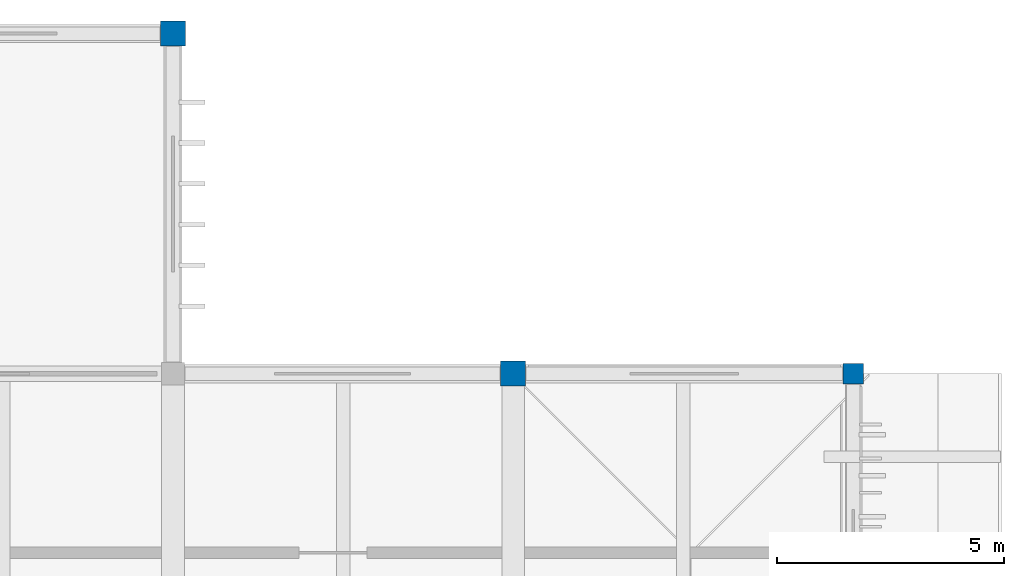
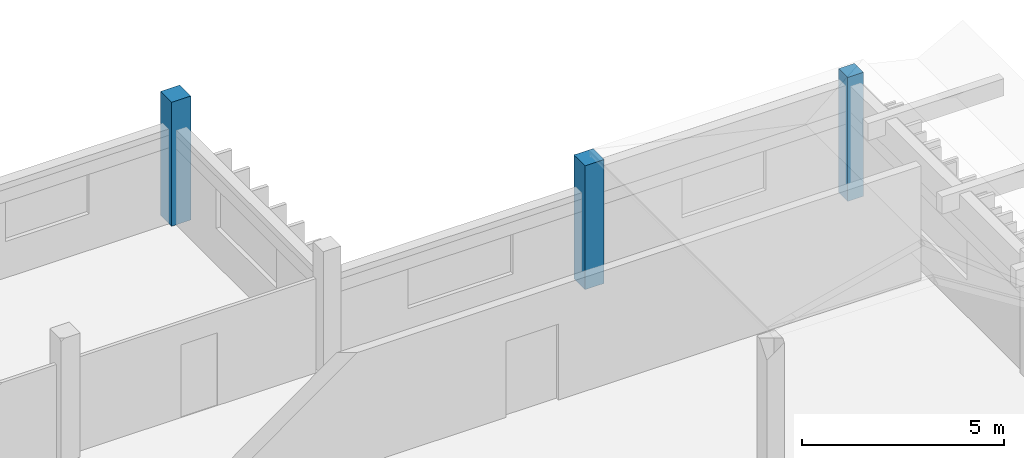
# One storey, part 7 of 43: 3 columns.
"""IFC4 building model written with IfcOpenShell, lengths in metres."""

from ifc_helpers import new_model, si_unit, direction, frame, origin, origin_2d, place, context, subcontext, project, spatial, rectangle, extrude, material, material_profile, profile_set, type_object, element, save


model = new_model("IFC4")

# Units and contexts
model_context = context("Model", 3, precision=1e-05, world=origin(), true_north=direction((0.0, 1.0)))
body_context = subcontext(model_context, "Body", "Model", "MODEL_VIEW")
ifc_project = project(units=[si_unit("LENGTHUNIT", "METRE"), si_unit("AREAUNIT", "SQUARE_METRE"), si_unit("VOLUMEUNIT", "CUBIC_METRE"), si_unit("PLANEANGLEUNIT", "RADIAN"), si_unit("MASSUNIT", "GRAM", prefix="KILO")], contexts=[model_context])

# Site, building, storey
site_placement = place(None, origin())
site = spatial("IfcSite", under=ifc_project, at=site_placement, CompositionType="ELEMENT")
building_placement = place(site_placement, origin())
building = spatial("IfcBuilding", under=site, at=building_placement, Name="Dalvernix Boulevard General Hospital", CompositionType="ELEMENT")
storey_placement = place(building_placement, frame((0.0, 0.0, 14.10009765625)))
storey = spatial("IfcBuildingStorey", under=building, at=storey_placement, Name="L03", CompositionType="ELEMENT", Elevation=14.10009765625)

# Columns
ifc_material = material(Name="Concrete C40/50", Category="concrete")
ifc_material_profile_1 = material_profile(ifc_material, rectangle(XDim=0.550048828125, YDim=0.550048828125, at=origin_2d()), Name="RC 550x550")
ifc_profile_set_1 = profile_set([ifc_material_profile_1], Name="Concrete C40/50")
column_type_1 = type_object("IfcColumnType", Name="COL-C-08-E", PredefinedType="COLUMN", material=ifc_profile_set_1)
for number, where, z_axis, x_axis, name in (
    (1, (127.5, 117.0, 0.0), (0.0, 0.0, 1.0), (1.0, 0.0, 0.0), "L03 column 18R"),
    (2, (135.0, 109.5, 0.0), (0.0, 0.0, 1.0), (1.0, 0.0, 0.0), "L03 column 19Q"),
):
    element("IfcColumn", number, at=place(storey_placement, frame(where, z_axis=z_axis, x_axis=x_axis)), inside=storey, type_object=column_type_1, Name=name, PredefinedType="COLUMN", context=body_context, shape_type="SweptSolid", body=[
        extrude(rectangle(XDim=0.550048828125, YDim=0.550048828125, at=origin_2d()), origin(), (0.0, 0.0, 1.0), 3.75),
    ])
ifc_material_profile_2 = material_profile(ifc_material, rectangle(XDim=0.449951171875, YDim=0.449951171875, at=origin_2d()), Name="RC 450x450")
ifc_profile_set_2 = profile_set([ifc_material_profile_2], Name="Concrete C40/50")
column_type_2 = type_object("IfcColumnType", Name="COL-C-10-E", PredefinedType="COLUMN", material=ifc_profile_set_2)
column_placement = place(storey_placement, frame((142.5, 109.5, 0.0), z_axis=(0.0, 0.0, 1.0), x_axis=(1.0, 0.0, 0.0)))
element("IfcColumn", 3, at=column_placement, inside=storey, type_object=column_type_2, Name="L03 column 20Q", PredefinedType="COLUMN", context=body_context, shape_type="SweptSolid", body=[
    extrude(rectangle(XDim=0.449951171875, YDim=0.449951171875, at=origin_2d()), origin(), (0.0, 0.0, 1.0), 3.75),
])

save(model, "model.ifc")
